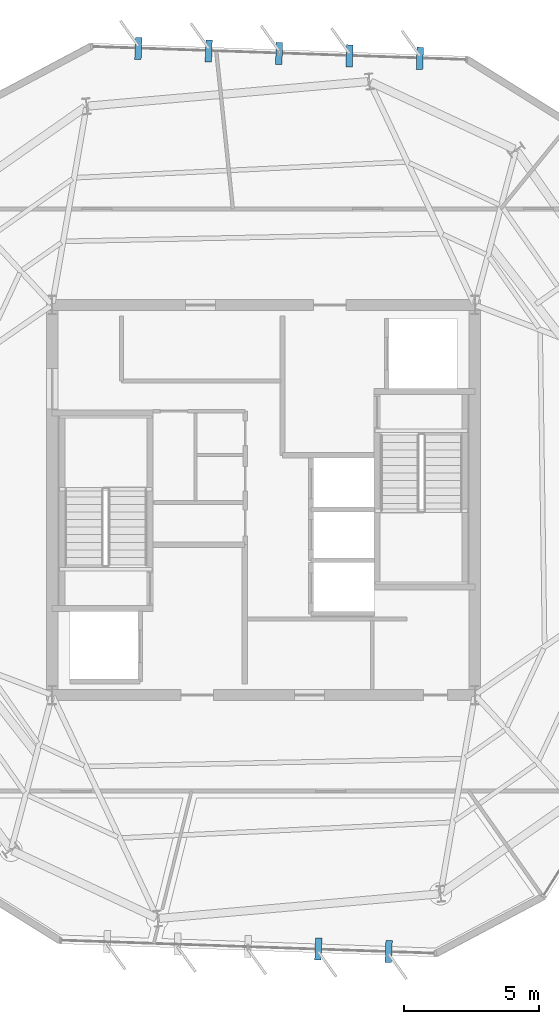
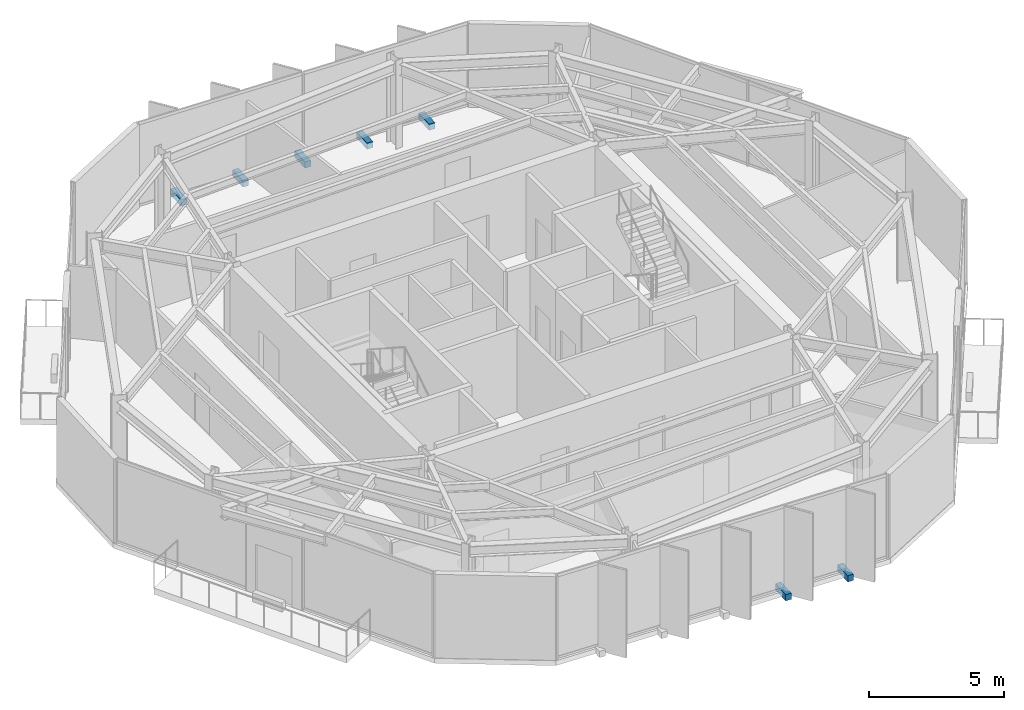
# One storey, part 9 of 12: 7 discrete accessories.
"""IFC4 building model written with IfcOpenShell, lengths in metres."""

from ifc_helpers import new_model, si_unit, direction, frame, origin, origin_2d, place, context, subcontext, project, spatial, rectangle, extrude, material, type_object, element, save


model = new_model("IFC4")

# Units and contexts
model_context = context("Model", 3, precision=1e-05, world=origin(), true_north=direction((0.0, 1.0)))
body_context = subcontext(model_context, "Body", "Model", "MODEL_VIEW")
ifc_project = project(units=[si_unit("LENGTHUNIT", "METRE"), si_unit("AREAUNIT", "SQUARE_METRE"), si_unit("VOLUMEUNIT", "CUBIC_METRE"), si_unit("PLANEANGLEUNIT", "RADIAN"), si_unit("MASSUNIT", "GRAM", prefix="KILO")], contexts=[model_context])

# Site, building, storey
site_placement = place(None, origin())
site = spatial("IfcSite", under=ifc_project, at=site_placement, CompositionType="ELEMENT")
building_placement = place(site_placement, origin())
building = spatial("IfcBuilding", under=site, at=building_placement, Name="Kranzbogen Civic Tower", CompositionType="ELEMENT")
storey_placement = place(building_placement, frame((0.0, 0.0, 258.199951171875)))
storey = spatial("IfcBuildingStorey", under=building, at=storey_placement, Name="L62", CompositionType="ELEMENT", Elevation=258.199951171875)

# Discrete accessories
ifc_material = material(Name="Steel S355", Category="steel")
discrete_accessory_type = type_object("IfcDiscreteAccessoryType", Name="Structural Curtain-Wall Fin Support Bracket", PredefinedType="BRACKET", material=ifc_material)
for number, where, z_axis, x_axis, name in (
    (1, (30.77197265625, 41.302001953125, -0.25), (0.0, 0.0, 1.0), (0.034899496703, 0.999390827019, 0.0), "L62 facade fin support bracket F1-1"),
    (2, (28.174072265625, 41.39306640625, -0.25), (0.0, 0.0, 1.0), (0.034899496703, 0.999390827019, 0.0), "L62 facade fin support bracket F1-2"),
    (3, (25.575927734375, 41.48388671875, -0.25), (0.0, 0.0, 1.0), (0.034899496703, 0.999390827019, 0.0), "L62 facade fin support bracket F1-3"),
    (4, (22.97705078125, 41.573974609375, -0.25), (0.0, 0.0, 1.0), (0.034899496703, 0.999390827019, 0.0), "L62 facade fin support bracket F1-4"),
    (5, (20.37890625, 41.6650390625, -0.25), (0.0, 0.0, 1.0), (0.034899496703, 0.999390827019, 0.0), "L62 facade fin support bracket F1-5"),
    (6, (27.02294921875, 8.426025390625, -0.25), (0.0, 0.0, 1.0), (-0.034899496703, -0.999390827019, 0.0), "L62 facade fin support bracket F4-4"),
    (7, (29.62109375, 8.3349609375, -0.25), (0.0, 0.0, 1.0), (-0.034899496703, -0.999390827019, 0.0), "L62 facade fin support bracket F4-5"),
):
    element("IfcDiscreteAccessory", number, at=place(storey_placement, frame(where, z_axis=z_axis, x_axis=x_axis)), inside=storey, type_object=discrete_accessory_type, Name=name, PredefinedType="BRACKET", context=body_context, shape_type="SweptSolid", body=[
        extrude(rectangle(XDim=0.820068359375, YDim=0.239990234375, at=origin_2d()), origin(), (0.0, 0.0, 1.0), 0.280029296875),
    ])

save(model, "model.ifc")
